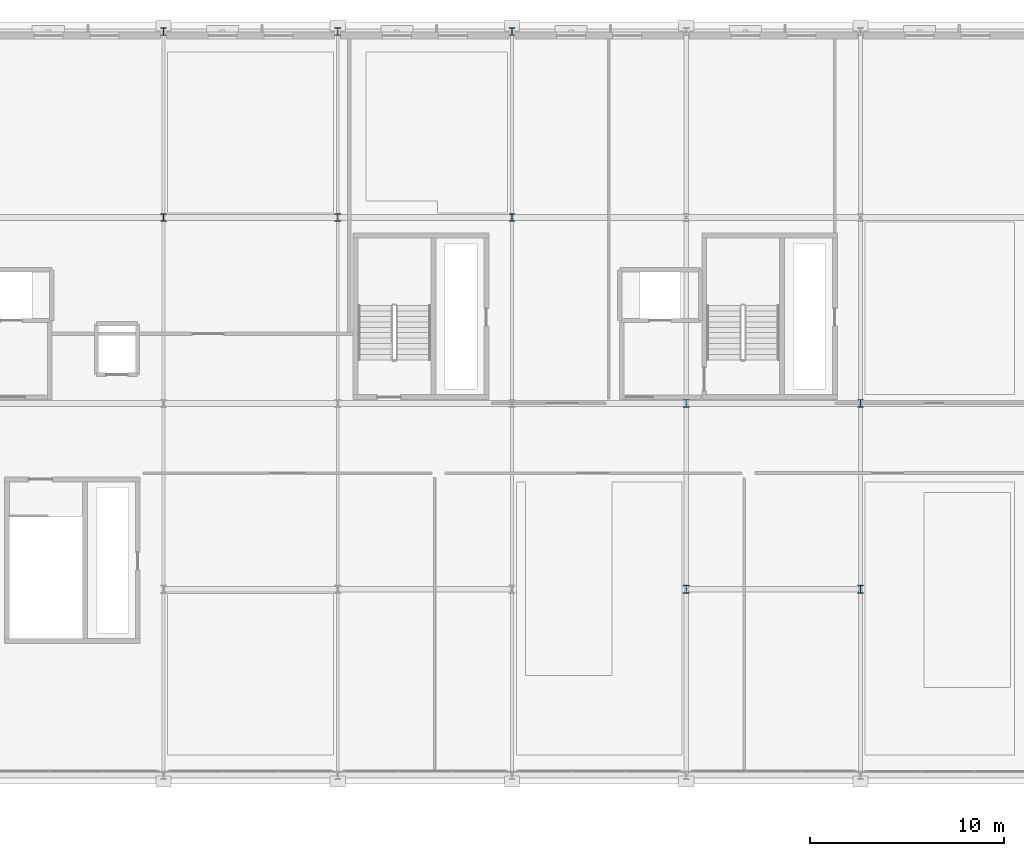
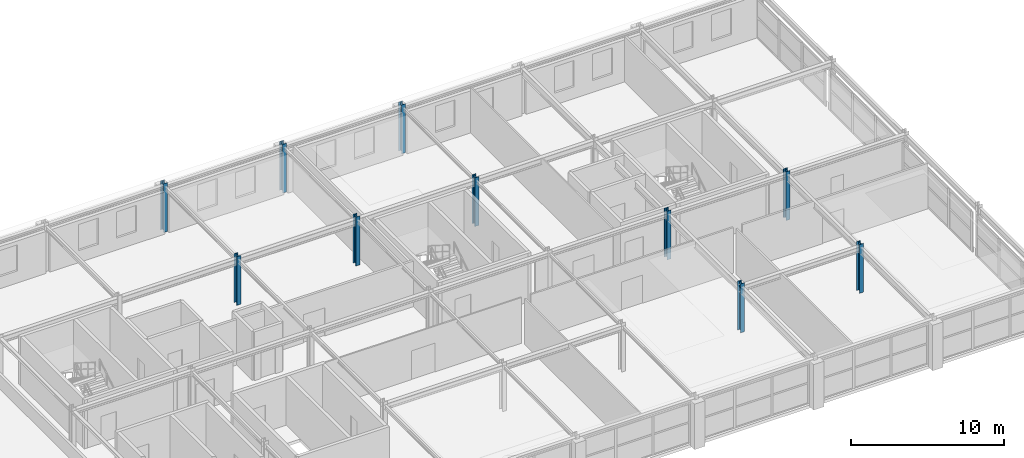
# One storey, part 12 of 52: 10 columns.
"""IFC4 building model written with IfcOpenShell, lengths in metres."""

from ifc_helpers import new_model, si_unit, direction, frame, origin, origin_2d, place, context, subcontext, project, spatial, i_section, extrude, material, material_profile, profile_set, type_object, element, save


model = new_model("IFC4")

# Units and contexts
model_context = context("Model", 3, precision=1e-05, world=origin(), true_north=direction((0.0, 1.0)))
body_context = subcontext(model_context, "Body", "Model", "MODEL_VIEW")
ifc_project = project(units=[si_unit("LENGTHUNIT", "METRE"), si_unit("AREAUNIT", "SQUARE_METRE"), si_unit("VOLUMEUNIT", "CUBIC_METRE"), si_unit("PLANEANGLEUNIT", "RADIAN"), si_unit("MASSUNIT", "GRAM", prefix="KILO")], contexts=[model_context])

# Site, building, storey
site_placement = place(None, origin())
site = spatial("IfcSite", under=ifc_project, at=site_placement, CompositionType="ELEMENT")
building_placement = place(site_placement, origin())
building = spatial("IfcBuilding", under=site, at=building_placement, Name="Myrtia Square Station", CompositionType="ELEMENT")
storey_placement = place(building_placement, frame((0.0, 0.0, 15.0)))
storey = spatial("IfcBuildingStorey", under=building, at=storey_placement, Name="L03", CompositionType="ELEMENT", Elevation=15.0)

# Columns
ifc_material = material(Name="Steel S355", Category="steel")
ifc_material_profile = material_profile(ifc_material, i_section(OverallWidth=0.300048828125, OverallDepth=0.39990234375, WebThickness=0.013427734375, FlangeThickness=0.02392578125, FilletRadius=0.027099609375, at=origin_2d()), Name="HEB 400")
ifc_profile_set = profile_set([ifc_material_profile], Name="Steel S355")
column_type = type_object("IfcColumnType", Name="COL-HEB400", PredefinedType="COLUMN", material=ifc_profile_set)
for number, where, z_axis, x_axis, name in (
    (1, (144.0, 115.199951171875, 0.0), (0.0, 0.0, 1.0), (1.0, 0.0, 0.0), "Column L03-0861"),
    (2, (144.0, 124.800048828125, 0.0), (0.0, 0.0, 1.0), (1.0, 0.0, 0.0), "Column L03-0867"),
    (3, (153.0, 115.199951171875, 0.0), (0.0, 0.0, 1.0), (1.0, 0.0, 0.0), "Column L03-0890"),
    (4, (153.0, 124.800048828125, 0.0), (0.0, 0.0, 1.0), (1.0, 0.0, 0.0), "Column L03-0896"),
    (5, (162.0, 115.199951171875, 0.0), (0.0, 0.0, 1.0), (1.0, 0.0, 0.0), "Column L03-0920"),
    (6, (162.0, 124.800048828125, 0.0), (0.0, 0.0, 1.0), (1.0, 0.0, 0.0), "Column L03-0926"),
    (7, (171.0, 96.0, 0.0), (0.0, 0.0, 1.0), (1.0, 0.0, 0.0), "Column L03-0938"),
    (8, (171.0, 105.60009765625, 0.0), (0.0, 0.0, 1.0), (1.0, 0.0, 0.0), "Column L03-0944"),
    (9, (180.0, 96.0, 0.0), (0.0, 0.0, 1.0), (1.0, 0.0, 0.0), "Column L03-0968"),
    (10, (180.0, 105.60009765625, 0.0), (0.0, 0.0, 1.0), (1.0, 0.0, 0.0), "Column L03-0974"),
):
    element("IfcColumn", number, at=place(storey_placement, frame(where, z_axis=z_axis, x_axis=x_axis)), inside=storey, type_object=column_type, Name=name, PredefinedType="COLUMN", context=body_context, shape_type="SweptSolid", body=[
        extrude(i_section(OverallWidth=0.300048828125, OverallDepth=0.39990234375, WebThickness=0.013427734375, FlangeThickness=0.02392578125, FilletRadius=0.027099609375, at=origin_2d()), origin(), (0.0, 0.0, 1.0), 3.89990234375),
    ])

save(model, "model.ifc")
